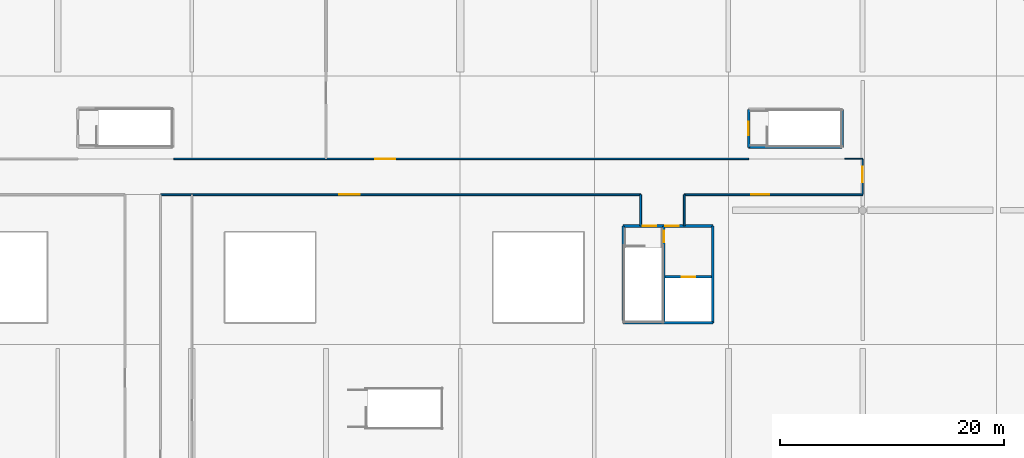
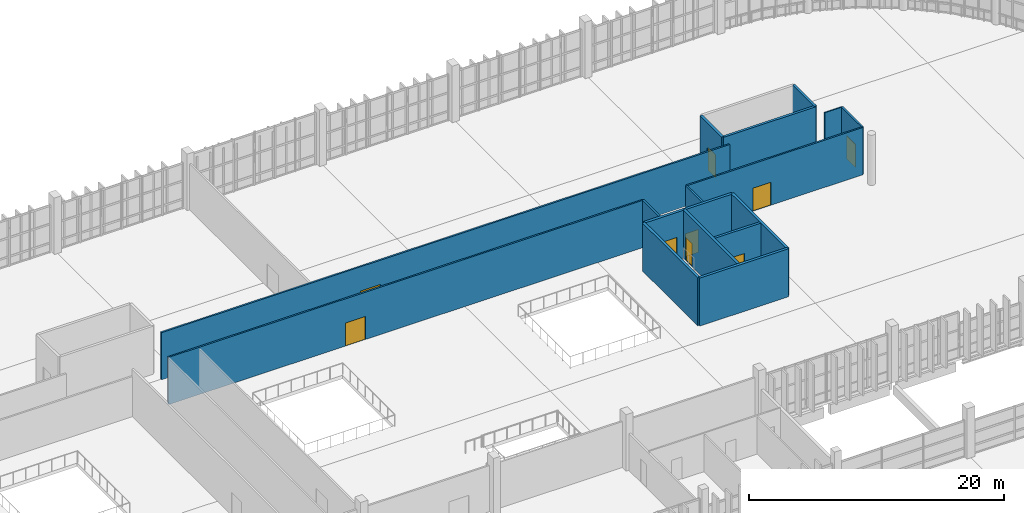
# One storey, part 87 of 112: 16 walls, 9 doors, 9 openings.
"""IFC4 building model written with IfcOpenShell, lengths in metres."""

import ifcopenshell
import ifcopenshell.guid

model = None  # the IFC model being written
_history = None  # IfcOwnerHistory: only IFC2X3 demands one
_inside = {}  # id of a spatial element -> (the spatial element, [elements in it])
_under = {}  # id of a project, library or spatial element -> (it, [spatial elements below it])
_declared = {}  # id of a project -> (the project, [libraries it declares])
_typed = {}  # id of a type object -> (the type object, [elements of that type])
_made_of = {}  # id of a material, layer set ... -> (it, [elements and type objects made of it])


def new_model(schema):
    """Start an empty IFC model of exactly this schema.

    Asked for "IFC4X3", IfcOpenShell would pick the latest addendum, in which some entities
    have other attributes; the version numbers below select the first issue.
    IFC2X3 requires an IfcOwnerHistory on every rooted entity: one is made here for all.
    """
    global model, _history
    if schema == "IFC4X3":
        model = ifcopenshell.file(schema_version=(4, 3, 0, 0))
    else:
        model = ifcopenshell.file(schema=schema)
    _inside.clear()
    _under.clear()
    _declared.clear()
    _typed.clear()
    _made_of.clear()
    _history = None
    if model.schema == "IFC2X3":
        org = make("IfcOrganization", Name="unknown")
        user = make(
            "IfcPersonAndOrganization",
            ThePerson=make("IfcPerson", FamilyName="unknown"),
            TheOrganization=org,
        )
        app = make(
            "IfcApplication",
            ApplicationDeveloper=org,
            Version="unknown",
            ApplicationFullName="unknown",
            ApplicationIdentifier="unknown",
        )
        _history = make(
            "IfcOwnerHistory",
            OwningUser=user,
            OwningApplication=app,
            ChangeAction="ADDED",
            CreationDate=0,
        )
    return model


def make(cls, **values):
    """One entity of the class cls with the attributes given. An attribute that is None is left unset."""
    return model.create_entity(
        cls, **{name: value for name, value in values.items() if value is not None}
    )


def rooted(cls, **values):
    """An entity with a GlobalId (a new one), such as an element, a storey or a relation."""
    return make(cls, GlobalId=ifcopenshell.guid.new(), OwnerHistory=_history, **values)


def si_unit(unit_type, name, prefix=None):
    """IfcSIUnit, for example si_unit("LENGTHUNIT", "METRE", prefix="MILLI")."""
    return make("IfcSIUnit", UnitType=unit_type, Prefix=prefix, Name=name)


def assignment(units):
    """IfcUnitAssignment: the units of a project."""
    return None if units is None else make("IfcUnitAssignment", Units=units)


def point(xyz):
    """IfcCartesianPoint."""
    return None if xyz is None else make("IfcCartesianPoint", Coordinates=xyz)


def direction(xyz):
    """IfcDirection."""
    return None if xyz is None else make("IfcDirection", DirectionRatios=xyz)


def frame(location, z_axis=None, x_axis=None):
    """IfcAxis2Placement3D, a coordinate frame: its origin and axes. An axis left out is left unset."""
    return make(
        "IfcAxis2Placement3D",
        Location=point(location),
        Axis=direction(z_axis),
        RefDirection=direction(x_axis),
    )


def frame_2d(location, x_axis=None):
    """IfcAxis2Placement2D, a coordinate frame in the plane: its origin and x axis."""
    return make(
        "IfcAxis2Placement2D", Location=point(location), RefDirection=direction(x_axis)
    )


def origin():
    """The frame at (0, 0, 0) with its axes left unset."""
    return frame((0.0, 0.0, 0.0))


def place(relative_to, where):
    """IfcLocalPlacement: puts the frame where relative to a parent placement (None: the world)."""
    return make(
        "IfcLocalPlacement", PlacementRelTo=relative_to, RelativePlacement=where
    )


def context(
    kind, dimensions, precision=None, world=None, true_north=None, identifier=None
):
    """IfcGeometricRepresentationContext, for example the 3D "Model" context."""
    return make(
        "IfcGeometricRepresentationContext",
        ContextIdentifier=identifier,
        ContextType=kind,
        CoordinateSpaceDimension=dimensions,
        Precision=precision,
        WorldCoordinateSystem=world,
        TrueNorth=true_north,
    )


def subcontext(parent, identifier, kind, view, scale=None):
    """IfcGeometricRepresentationSubContext, for example "Body" below "Model"."""
    return make(
        "IfcGeometricRepresentationSubContext",
        ContextIdentifier=identifier,
        ContextType=kind,
        ParentContext=parent,
        TargetScale=scale,
        TargetView=view,
    )


def project(units=None, contexts=None):
    """IfcProject with its units and contexts."""
    return rooted(
        "IfcProject",
        Name="project",
        RepresentationContexts=contexts,
        UnitsInContext=assignment(units),
    )


def spatial(cls, under=None, at=None, **own):
    """A site, building, storey or space (cls), placed at a placement, below another one or the project."""
    s = rooted(cls, ObjectPlacement=at, **own)
    if under is not None:
        _under.setdefault(under.id(), (under, []))[1].append(s)
    return s


def profile(cls, at=None, kind="AREA", **sizes):
    """A parametric profile (cls). Its sizes go by their IFC names, for example OverallWidth=200.0."""
    return make(cls, ProfileType=kind, Position=at, **sizes)


def rectangle(**sizes):
    """IfcRectangleProfileDef."""
    return profile("IfcRectangleProfileDef", **sizes)


def extrude(swept, where, along, depth):
    """IfcExtrudedAreaSolid: the profile swept, set in the frame where, extruded along a direction by depth."""
    return make(
        "IfcExtrudedAreaSolid",
        SweptArea=swept,
        Position=where,
        ExtrudedDirection=direction(along),
        Depth=depth,
    )


def shape(context_of_items, identifier, shape_type, items):
    """IfcShapeRepresentation: the items that make up one representation, for example the "Body"."""
    return make(
        "IfcShapeRepresentation",
        ContextOfItems=context_of_items,
        RepresentationIdentifier=identifier,
        RepresentationType=shape_type,
        Items=items,
    )


def material(Name=None, Category=None):
    """IfcMaterial."""
    return make("IfcMaterial", Name=Name, Category=Category)


def layer(
    of_material, thickness, ventilated=None, Name=None, Category=None, Priority=None
):
    """IfcMaterialLayer: one layer of a wall or slab, of a material (None: an air gap)."""
    return make(
        "IfcMaterialLayer",
        Material=of_material,
        LayerThickness=thickness,
        IsVentilated=ventilated,
        Name=Name,
        Category=Category,
        Priority=Priority,
    )


def layer_set(layers, Name=None):
    """IfcMaterialLayerSet."""
    return make("IfcMaterialLayerSet", MaterialLayers=layers, LayerSetName=Name)


def made_of(thing, what):
    """Note that an element or type object is made of a material, layer set ...; save() writes the relation."""
    if what is not None:
        _made_of.setdefault(what.id(), (what, []))[1].append(thing)
    return thing


def type_object(cls, material=None, **own):
    """A type object (cls), such as IfcWallType, which elements share."""
    return made_of(rooted(cls, **own), material)


def element(
    cls,
    number,
    at=None,
    inside=None,
    cuts=None,
    type_object=None,
    material=None,
    context=None,
    identifier="Body",
    shape_type=None,
    held_by="IfcProductDefinitionShape",
    body=None,
    shapes=None,
    **own,
):
    """One element of the class cls, such as IfcWall. Its Tag is "e" and its number.

    at: its placement. inside: the storey or other place that contains it. cuts: it is an
    opening in that element (IfcRelVoidsElement). A single representation is given by context,
    identifier, shape_type and body (its items); several are given by shapes. held_by: the class
    of the entity that holds the representations. save() writes the other relations.
    """
    e = rooted(cls, Tag="e%d" % number, ObjectPlacement=at, **own)
    if body is not None:
        shapes = [shape(context, identifier, shape_type, body)]
    if shapes is not None:
        e.Representation = make(held_by, Representations=shapes)
    if inside is not None:
        _inside.setdefault(inside.id(), (inside, []))[1].append(e)
    if cuts is not None:
        rooted(
            "IfcRelVoidsElement", RelatingBuildingElement=cuts, RelatedOpeningElement=e
        )
    if type_object is not None:
        _typed.setdefault(type_object.id(), (type_object, []))[1].append(e)
    return made_of(e, material)


def fill(opening, filler):
    """IfcRelFillsElement: the door or window that sits in an opening."""
    return rooted(
        "IfcRelFillsElement",
        RelatingOpeningElement=opening,
        RelatedBuildingElement=filler,
    )


def aggregate(whole, parts):
    """IfcRelAggregates: a whole, such as a stair, and the parts it consists of."""
    return rooted("IfcRelAggregates", RelatingObject=whole, RelatedObjects=parts)


def save(model, path):
    """Write the relations noted so far, then the file.

    IfcRelAggregates (storeys below a building ...), IfcRelContainedInSpatialStructure (elements
    in a storey), IfcRelDefinesByType, IfcRelAssociatesMaterial and IfcRelDeclares: one each for
    every whole, place, type object, material and project.
    """
    for whole, parts in _under.values():
        aggregate(whole, parts)
    for where, things in _inside.values():
        rooted(
            "IfcRelContainedInSpatialStructure",
            RelatedElements=things,
            RelatingStructure=where,
        )
    for kind, things in _typed.values():
        rooted("IfcRelDefinesByType", RelatedObjects=things, RelatingType=kind)
    for what, things in _made_of.values():
        rooted("IfcRelAssociatesMaterial", RelatedObjects=things, RelatingMaterial=what)
    for by, libraries in _declared.values():
        rooted("IfcRelDeclares", RelatingContext=by, RelatedDefinitions=libraries)
    model.write(path)


model = new_model("IFC4")

# Units and contexts
model_context = context("Model", 3, precision=1e-05, world=origin(), true_north=direction((0.0, 1.0)))
body_context = subcontext(model_context, "Body", "Model", "MODEL_VIEW")
ifc_project = project(units=[si_unit("LENGTHUNIT", "METRE"), si_unit("AREAUNIT", "SQUARE_METRE"), si_unit("VOLUMEUNIT", "CUBIC_METRE"), si_unit("PLANEANGLEUNIT", "RADIAN"), si_unit("MASSUNIT", "GRAM", prefix="KILO")], contexts=[model_context])

# Site, building, storey
site_placement = place(None, origin())
site = spatial("IfcSite", under=ifc_project, at=site_placement, CompositionType="ELEMENT")
building_placement = place(site_placement, origin())
building = spatial("IfcBuilding", under=site, at=building_placement, Name="Kamomehara Wholesale Market", CompositionType="ELEMENT")
storey_placement = place(building_placement, frame((0.0, 0.0, 6.60009765625)))
storey = spatial("IfcBuildingStorey", under=building, at=storey_placement, Name="L01", CompositionType="ELEMENT", Elevation=6.60009765625)

# Wall
ifc_material_1 = material(Name="Gypsum board partition")
ifc_layer_1 = layer(ifc_material_1, 0.10009765625)
ifc_layer_set_1 = layer_set([ifc_layer_1], Name="Gypsum board partition")
wall_type_1 = type_object("IfcWallType", Name="IW-PRT-100", PredefinedType="PARTITIONING", material=ifc_layer_set_1)
wall_1_placement = place(storey_placement, frame((178.39990234375, 136.60009765625, 0.0), z_axis=(0.0, 0.0, 1.0), x_axis=(1.0, 0.0, 0.0)))
element("IfcWall", 1, at=wall_1_placement, inside=storey, type_object=wall_type_1, Name="Interior wall IW-PRT-100 288", PredefinedType="PARTITIONING", context=body_context, shape_type="SweptSolid", body=[
    extrude(rectangle(XDim=1.60009765625, YDim=0.10009765625, at=frame_2d((0.800048828125, 0.0))), origin(), (0.0, 0.0, 1.0), 4.52001953125),
])

# Wall, opening, door
ifc_material_2 = material(Name="Gypsum board partition")
ifc_layer_2 = layer(ifc_material_2, 0.14990234375)
ifc_layer_set_2 = layer_set([ifc_layer_2], Name="Gypsum board partition")
wall_type_2 = type_object("IfcWallType", Name="IW-PRT-150", PredefinedType="PARTITIONING", material=ifc_layer_set_2)
wall_2_placement = place(storey_placement, frame((117.199951171875, 133.39990234375, 0.0), z_axis=(0.0, 0.0, 1.0), x_axis=(1.0, 0.0, 0.0)))
wall_2 = element("IfcWall", 2, at=wall_2_placement, inside=storey, type_object=wall_type_2, Name="Interior wall IW-PRT-150 282", PredefinedType="PARTITIONING", context=body_context, shape_type="SweptSolid", body=[
    extrude(rectangle(XDim=42.949951171875, YDim=0.14990234375, at=frame_2d((21.47509765625, 0.0))), origin(), (0.0, 0.0, 1.0), 4.52001953125),
])
opening_1_placement = place(wall_2_placement, frame((16.0, 0.0, 0.0)))
opening_1 = element("IfcOpeningElement", 3, at=opening_1_placement, cuts=wall_2, Name="Opening ID-L01-172", PredefinedType="OPENING", context=body_context, shape_type="SweptSolid", body=[
    extrude(rectangle(XDim=1.800048828125, YDim=2.199951171875, at=frame_2d((0.89990234375, 1.10009765625))), frame((0.0, 0.08984375, 0.0), z_axis=(0.0, -1.0, 0.0), x_axis=(1.0, 0.0, 0.0)), (0.0, 0.0, 1.0), 0.1796875),
])
ifc_material_3 = material(Name="Steel SN400B", Category="steel")
door_type_1 = type_object("IfcDoorType", Name="IDR-FD-1800x2200", OperationType="NOTDEFINED", PredefinedType="DOOR", material=ifc_material_3)
door_1_placement = place(opening_1_placement, origin())
door_1 = element("IfcDoor", 4, at=door_1_placement, inside=storey, type_object=door_type_1, Name="Interior door ID-L01-172", OperationType="SINGLE_SWING_RIGHT", OverallHeight=2.199951171875, OverallWidth=1.800048828125, PredefinedType="DOOR", context=body_context, shape_type="SweptSolid", body=[
    extrude(rectangle(XDim=1.800048828125, YDim=2.199951171875, at=frame_2d((0.89990234375, 1.10009765625))), frame((0.0, 0.02490234375, 0.0), z_axis=(0.0, -1.0, 0.0), x_axis=(1.0, 0.0, 0.0)), (0.0, 0.0, 1.0), 0.050048828125),
])
fill(opening_1, door_1)

# Wall
wall_3_placement = place(storey_placement, frame((164.050048828125, 130.60009765625, 0.0), z_axis=(0.0, 0.0, 1.0), x_axis=(0.0, 1.0, 0.0)))
element("IfcWall", 5, at=wall_3_placement, inside=storey, type_object=wall_type_2, Name="Interior wall IW-PRT-150 284", PredefinedType="PARTITIONING", context=body_context, shape_type="SweptSolid", body=[
    extrude(rectangle(XDim=2.7998046875, YDim=0.14990234375, at=frame_2d((1.39990234375, 0.0))), origin(), (0.0, 0.0, 1.0), 4.52001953125),
])

# Wall, opening, door
wall_4_placement = place(storey_placement, frame((164.050048828125, 133.39990234375, 0.0), z_axis=(0.0, 0.0, 1.0), x_axis=(1.0, 0.0, 0.0)))
wall_4 = element("IfcWall", 6, at=wall_4_placement, inside=storey, type_object=wall_type_2, Name="Interior wall IW-PRT-150 285", PredefinedType="PARTITIONING", context=body_context, shape_type="SweptSolid", body=[
    extrude(rectangle(XDim=15.949951171875, YDim=0.14990234375, at=frame_2d((7.97509765625, 0.0))), origin(), (0.0, 0.0, 1.0), 4.52001953125),
])
opening_2_placement = place(wall_4_placement, frame((6.0, 0.0, 0.0)))
opening_2 = element("IfcOpeningElement", 7, at=opening_2_placement, cuts=wall_4, Name="Opening ID-L01-173", PredefinedType="OPENING", context=body_context, shape_type="SweptSolid", body=[
    extrude(rectangle(XDim=1.60009765625, YDim=2.199951171875, at=frame_2d((0.800048828125, 1.10009765625))), frame((0.0, 0.08984375, 0.0), z_axis=(0.0, -1.0, 0.0), x_axis=(1.0, 0.0, 0.0)), (0.0, 0.0, 1.0), 0.1796875),
])
ifc_material_4 = material(Name="Steel SN400B", Category="steel")
door_type_2 = type_object("IfcDoorType", Name="IDR-FD-1600x2200", OperationType="NOTDEFINED", PredefinedType="DOOR", material=ifc_material_4)
door_2_placement = place(opening_2_placement, origin())
door_2 = element("IfcDoor", 8, at=door_2_placement, inside=storey, type_object=door_type_2, Name="Interior door ID-L01-173", OperationType="SINGLE_SWING_LEFT", OverallHeight=2.199951171875, OverallWidth=1.60009765625, PredefinedType="DOOR", context=body_context, shape_type="SweptSolid", body=[
    extrude(rectangle(XDim=1.60009765625, YDim=2.199951171875, at=frame_2d((0.800048828125, 1.10009765625))), frame((0.0, 0.02490234375, 0.0), z_axis=(0.0, -1.0, 0.0), x_axis=(1.0, 0.0, 0.0)), (0.0, 0.0, 1.0), 0.050048828125),
])
fill(opening_2, door_2)

wall_5_placement = place(storey_placement, frame((118.39990234375, 136.60009765625, 0.0), z_axis=(0.0, 0.0, 1.0), x_axis=(1.0, 0.0, 0.0)))
wall_5 = element("IfcWall", 9, at=wall_5_placement, inside=storey, type_object=wall_type_2, Name="Interior wall IW-PRT-150 287", PredefinedType="PARTITIONING", context=body_context, shape_type="SweptSolid", body=[
    extrude(rectangle(XDim=51.400146484375, YDim=0.14990234375, at=frame_2d((25.7001953125, 0.0))), origin(), (0.0, 0.0, 1.0), 4.52001953125),
])
opening_3_placement = place(wall_5_placement, frame((18.0, 0.0, 0.0)))
opening_3 = element("IfcOpeningElement", 10, at=opening_3_placement, cuts=wall_5, Name="Opening ID-L01-176", PredefinedType="OPENING", context=body_context, shape_type="SweptSolid", body=[
    extrude(rectangle(XDim=1.800048828125, YDim=2.199951171875, at=frame_2d((0.89990234375, 1.10009765625))), frame((0.0, 0.08984375, 0.0), z_axis=(0.0, -1.0, 0.0), x_axis=(1.0, 0.0, 0.0)), (0.0, 0.0, 1.0), 0.1796875),
])
door_3_placement = place(opening_3_placement, origin())
door_3 = element("IfcDoor", 11, at=door_3_placement, inside=storey, type_object=door_type_1, Name="Interior door ID-L01-176", OperationType="SINGLE_SWING_RIGHT", OverallHeight=2.199951171875, OverallWidth=1.800048828125, PredefinedType="DOOR", context=body_context, shape_type="SweptSolid", body=[
    extrude(rectangle(XDim=1.800048828125, YDim=2.199951171875, at=frame_2d((0.89990234375, 1.10009765625))), frame((0.0, 0.02490234375, 0.0), z_axis=(0.0, -1.0, 0.0), x_axis=(1.0, 0.0, 0.0)), (0.0, 0.0, 1.0), 0.050048828125),
])
fill(opening_3, door_3)

wall_6_placement = place(storey_placement, frame((180.0, 133.39990234375, 0.0), z_axis=(0.0, 0.0, 1.0), x_axis=(0.0, 1.0, 0.0)))
wall_6 = element("IfcWall", 12, at=wall_6_placement, inside=storey, type_object=wall_type_2, Name="Interior wall IW-PRT-150 289", PredefinedType="PARTITIONING", context=body_context, shape_type="SweptSolid", body=[
    extrude(rectangle(XDim=3.2001953125, YDim=0.14990234375, at=frame_2d((1.60009765625, 0.0))), origin(), (0.0, 0.0, 1.0), 4.52001953125),
])
opening_4_placement = place(wall_6_placement, frame((1.10009765625, 0.0, 0.0)))
opening_4 = element("IfcOpeningElement", 13, at=opening_4_placement, cuts=wall_6, Name="Opening ID-L01-177", PredefinedType="OPENING", context=body_context, shape_type="SweptSolid", body=[
    extrude(rectangle(XDim=1.39990234375, YDim=2.199951171875, at=frame_2d((0.699951171875, 1.10009765625))), frame((0.0, 0.08984375, 0.0), z_axis=(0.0, -1.0, 0.0), x_axis=(1.0, 0.0, 0.0)), (0.0, 0.0, 1.0), 0.1796875),
])
ifc_material_5 = material(Name="Steel SN400B", Category="steel")
door_type_3 = type_object("IfcDoorType", Name="IDR-FD-1400x2200", OperationType="NOTDEFINED", PredefinedType="DOOR", material=ifc_material_5)
door_4_placement = place(opening_4_placement, origin())
door_4 = element("IfcDoor", 14, at=door_4_placement, inside=storey, type_object=door_type_3, Name="Interior door ID-L01-177", OperationType="SINGLE_SWING_LEFT", OverallHeight=2.199951171875, OverallWidth=1.39990234375, PredefinedType="DOOR", context=body_context, shape_type="SweptSolid", body=[
    extrude(rectangle(XDim=1.39990234375, YDim=2.199951171875, at=frame_2d((0.699951171875, 1.10009765625))), frame((0.0, 0.02490234375, 0.0), z_axis=(0.0, -1.0, 0.0), x_axis=(1.0, 0.0, 0.0)), (0.0, 0.0, 1.0), 0.050048828125),
])
fill(opening_4, door_4)

# Wall
ifc_material_6 = material(Name="Gypsum board partition")
ifc_layer_3 = layer(ifc_material_6, 0.175048828125)
ifc_layer_set_3 = layer_set([ifc_layer_3], Name="Gypsum board partition")
wall_type_3 = type_object("IfcWallType", Name="IW-PRT-175", PredefinedType="PARTITIONING", material=ifc_layer_set_3)
wall_7_placement = place(storey_placement, frame((160.14990234375, 130.60009765625, 0.0), z_axis=(0.0, 0.0, 1.0), x_axis=(0.0, 1.0, 0.0)))
element("IfcWall", 15, at=wall_7_placement, inside=storey, type_object=wall_type_3, Name="Interior wall IW-PRT-175 283", PredefinedType="PARTITIONING", context=body_context, shape_type="SweptSolid", body=[
    extrude(rectangle(XDim=2.7998046875, YDim=0.175048828125, at=frame_2d((1.39990234375, 0.0))), origin(), (0.0, 0.0, 1.0), 4.52001953125),
])

# Wall, opening, door
ifc_material_7 = material(Name="Concrete Fc36 (C35/45)", Category="concrete")
ifc_layer_4 = layer(ifc_material_7, 0.219970703125)
ifc_layer_set_4 = layer_set([ifc_layer_4], Name="Concrete Fc36 (C35/45)")
wall_type_4 = type_object("IfcWallType", Name="IW-SHR-220", PredefinedType="SHEAR", material=ifc_layer_set_4)
wall_8_placement = place(storey_placement, frame((162.340087890625, 126.0400390625, 0.0), z_axis=(0.0, 0.0, 1.0), x_axis=(1.0, 0.0, 0.0)))
wall_8 = element("IfcWall", 16, at=wall_8_placement, inside=storey, type_object=wall_type_4, Name="Interior wall IW-SHR-220 24", PredefinedType="SHEAR", context=body_context, shape_type="SweptSolid", body=[
    extrude(rectangle(XDim=4.139892578125, YDim=0.219970703125, at=frame_2d((2.06982421875, 0.0))), origin(), (0.0, 0.0, 1.0), 4.58984375),
])
opening_5_placement = place(wall_8_placement, frame((1.469970703125, 0.0, 0.0)))
opening_5 = element("IfcOpeningElement", 17, at=opening_5_placement, cuts=wall_8, Name="Opening LD-LP-01-L01", PredefinedType="OPENING", context=body_context, shape_type="SweptSolid", body=[
    extrude(rectangle(XDim=1.199951171875, YDim=2.199951171875, at=frame_2d((0.60009765625, 1.10009765625))), frame((0.0, 0.125, 0.0), z_axis=(0.0, -1.0, 0.0), x_axis=(1.0, 0.0, 0.0)), (0.0, 0.0, 1.0), 0.249755859375),
])
ifc_material_8 = material(Name="Steel SN400B", Category="steel")
door_type_4 = type_object("IfcDoorType", Name="LDR-PAX-1200x2200", OperationType="DOUBLE_DOOR_SLIDING", PredefinedType="DOOR", material=ifc_material_8)
door_5_placement = place(opening_5_placement, origin())
door_5 = element("IfcDoor", 18, at=door_5_placement, inside=storey, type_object=door_type_4, Name="Lift sliding landing door LD-LP-01-L01", OperationType="DOUBLE_DOOR_SLIDING", OverallHeight=2.199951171875, OverallWidth=1.199951171875, PredefinedType="DOOR", context=body_context, shape_type="SweptSolid", body=[
    extrude(rectangle(XDim=1.199951171875, YDim=2.199951171875, at=frame_2d((0.60009765625, 1.10009765625))), frame((0.0, 0.02490234375, 0.0), z_axis=(0.0, -1.0, 0.0), x_axis=(1.0, 0.0, 0.0)), (0.0, 0.0, 1.0), 0.050048828125),
])
fill(opening_5, door_5)

wall_9_placement = place(storey_placement, frame((169.800048828125, 141.030029296875, 0.0), z_axis=(0.0, 0.0, 1.0), x_axis=(0.0, -1.0, 0.0)))
wall_9 = element("IfcWall", 19, at=wall_9_placement, inside=storey, type_object=wall_type_4, Name="Interior wall IW-SHR-220 175", PredefinedType="SHEAR", context=body_context, shape_type="SweptSolid", body=[
    extrude(rectangle(XDim=3.39013671875, YDim=0.219970703125, at=frame_2d((1.695068359375, 0.0))), origin(), (0.0, 0.0, 1.0), 4.58984375),
])
opening_6_placement = place(wall_9_placement, frame((1.10009765625, 0.0, 0.0)))
opening_6 = element("IfcOpeningElement", 20, at=opening_6_placement, cuts=wall_9, Name="Opening FD-ST-14-L01", PredefinedType="OPENING", context=body_context, shape_type="SweptSolid", body=[
    extrude(rectangle(XDim=1.199951171875, YDim=2.199951171875, at=frame_2d((0.60009765625, 1.10009765625))), frame((0.0, 0.125, 0.0), z_axis=(0.0, -1.0, 0.0), x_axis=(1.0, 0.0, 0.0)), (0.0, 0.0, 1.0), 0.249755859375),
])
ifc_material_9 = material(Name="Steel SN400B", Category="steel")
door_type_5 = type_object("IfcDoorType", Name="IDR-FD-1200x2200", OperationType="NOTDEFINED", PredefinedType="DOOR", material=ifc_material_9)
door_6_placement = place(opening_6_placement, origin())
door_6 = element("IfcDoor", 21, at=door_6_placement, inside=storey, type_object=door_type_5, Name="Stair fire door FD-ST-14-L01", OperationType="SINGLE_SWING_RIGHT", OverallHeight=2.199951171875, OverallWidth=1.199951171875, PredefinedType="DOOR", context=body_context, shape_type="SweptSolid", body=[
    extrude(rectangle(XDim=1.199951171875, YDim=2.199951171875, at=frame_2d((0.60009765625, 1.10009765625))), frame((0.0, 0.02490234375, 0.0), z_axis=(0.0, -1.0, 0.0), x_axis=(1.0, 0.0, 0.0)), (0.0, 0.0, 1.0), 0.050048828125),
])
fill(opening_6, door_6)

# Walls
wall_10_placement = place(storey_placement, frame((169.800048828125, 137.639892578125, 0.0), z_axis=(0.0, 0.0, 1.0), x_axis=(1.0, 0.0, 0.0)))
element("IfcWall", 22, at=wall_10_placement, inside=storey, type_object=wall_type_4, Name="Interior wall IW-SHR-220 176", PredefinedType="SHEAR", context=body_context, shape_type="SweptSolid", body=[
    extrude(rectangle(XDim=8.3798828125, YDim=0.219970703125, at=frame_2d((4.18994140625, 0.0))), origin(), (0.0, 0.0, 1.0), 4.58984375),
])
wall_11_placement = place(storey_placement, frame((178.179931640625, 137.639892578125, 0.0), z_axis=(0.0, 0.0, 1.0), x_axis=(0.0, 1.0, 0.0)))
element("IfcWall", 23, at=wall_11_placement, inside=storey, type_object=wall_type_4, Name="Interior wall IW-SHR-220 177", PredefinedType="SHEAR", context=body_context, shape_type="SweptSolid", body=[
    extrude(rectangle(XDim=3.39013671875, YDim=0.219970703125, at=frame_2d((1.695068359375, 0.0))), origin(), (0.0, 0.0, 1.0), 4.58984375),
])
ifc_material_10 = material(Name="Concrete Fc36 (C35/45)", Category="concrete")
ifc_layer_5 = layer(ifc_material_10, 0.239990234375)
ifc_layer_set_5 = layer_set([ifc_layer_5], Name="Concrete Fc36 (C35/45)")
wall_type_5 = type_object("IfcWallType", Name="IW-SHR-240", PredefinedType="SHEAR", material=ifc_layer_set_5)
wall_12_placement = place(storey_placement, frame((158.580078125, 130.60009765625, 0.0), z_axis=(0.0, 0.0, 1.0), x_axis=(0.0, -1.0, 0.0)))
element("IfcWall", 24, at=wall_12_placement, inside=storey, type_object=wall_type_5, Name="Interior wall IW-SHR-240 19", PredefinedType="SHEAR", context=body_context, shape_type="SweptSolid", body=[
    extrude(rectangle(XDim=8.670166015625, YDim=0.239990234375, at=frame_2d((4.3349609375, 0.0))), origin(), (0.0, 0.0, 1.0), 4.58984375),
])
wall_13_placement = place(storey_placement, frame((158.580078125, 121.929931640625, 0.0), z_axis=(0.0, 0.0, 1.0), x_axis=(1.0, 0.0, 0.0)))
element("IfcWall", 25, at=wall_13_placement, inside=storey, type_object=wall_type_5, Name="Interior wall IW-SHR-240 20", PredefinedType="SHEAR", context=body_context, shape_type="SweptSolid", body=[
    extrude(rectangle(XDim=8.02001953125, YDim=0.239990234375, at=frame_2d((4.010009765625, 0.0))), origin(), (0.0, 0.0, 1.0), 4.58984375),
])

# Wall, opening, door
wall_14_placement = place(storey_placement, frame((162.219970703125, 121.929931640625, 0.0), z_axis=(0.0, 0.0, 1.0), x_axis=(0.0, 1.0, 0.0)))
wall_14 = element("IfcWall", 26, at=wall_14_placement, inside=storey, type_object=wall_type_5, Name="Interior wall IW-SHR-240 21", PredefinedType="SHEAR", context=body_context, shape_type="SweptSolid", body=[
    extrude(rectangle(XDim=8.670166015625, YDim=0.239990234375, at=frame_2d((4.3349609375, 0.0))), origin(), (0.0, 0.0, 1.0), 4.58984375),
])
opening_7_placement = place(wall_14_placement, frame((7.219970703125, 0.0, 0.0)))
opening_7 = element("IfcOpeningElement", 27, at=opening_7_placement, cuts=wall_14, Name="Opening FD-L01-C2I", PredefinedType="OPENING", context=body_context, shape_type="SweptSolid", body=[
    extrude(rectangle(XDim=1.0, YDim=2.199951171875, at=frame_2d((0.5, 1.10009765625))), frame((0.0, 0.134765625, 0.0), z_axis=(0.0, -1.0, 0.0), x_axis=(1.0, 0.0, 0.0)), (0.0, 0.0, 1.0), 0.269775390625),
])
ifc_material_11 = material(Name="Anodised aluminium 6063-T5", Category="aluminium")
door_type_6 = type_object("IfcDoorType", Name="IDR-RM-1000x2200", OperationType="NOTDEFINED", PredefinedType="DOOR", material=ifc_material_11)
door_7_placement = place(opening_7_placement, origin())
door_7 = element("IfcDoor", 28, at=door_7_placement, inside=storey, type_object=door_type_6, Name="Core lobby-stair fire door FD-L01-C2I", OperationType="SINGLE_SWING_RIGHT", OverallHeight=2.199951171875, OverallWidth=1.0, PredefinedType="DOOR", context=body_context, shape_type="SweptSolid", body=[
    extrude(rectangle(XDim=1.0, YDim=2.199951171875, at=frame_2d((0.5, 1.10009765625))), frame((0.0, 0.02490234375, 0.0), z_axis=(0.0, -1.0, 0.0), x_axis=(1.0, 0.0, 0.0)), (0.0, 0.0, 1.0), 0.050048828125),
])
fill(opening_7, door_7)

# Wall
wall_15_placement = place(storey_placement, frame((166.60009765625, 121.929931640625, 0.0), z_axis=(0.0, 0.0, 1.0), x_axis=(0.0, 1.0, 0.0)))
element("IfcWall", 29, at=wall_15_placement, inside=storey, type_object=wall_type_5, Name="Interior wall IW-SHR-240 22", PredefinedType="SHEAR", context=body_context, shape_type="SweptSolid", body=[
    extrude(rectangle(XDim=8.670166015625, YDim=0.239990234375, at=frame_2d((4.3349609375, 0.0))), origin(), (0.0, 0.0, 1.0), 4.58984375),
])

# Wall, openings, doors
wall_16_placement = place(storey_placement, frame((158.580078125, 130.60009765625, 0.0), z_axis=(0.0, 0.0, 1.0), x_axis=(1.0, 0.0, 0.0)))
wall_16 = element("IfcWall", 30, at=wall_16_placement, inside=storey, type_object=wall_type_5, Name="Interior wall IW-SHR-240 23", PredefinedType="SHEAR", context=body_context, shape_type="SweptSolid", body=[
    extrude(rectangle(XDim=8.02001953125, YDim=0.239990234375, at=frame_2d((4.010009765625, 0.0))), origin(), (0.0, 0.0, 1.0), 4.58984375),
])
opening_8_placement = place(wall_16_placement, frame((1.77001953125, 0.0, 0.0)))
opening_8 = element("IfcOpeningElement", 31, at=opening_8_placement, cuts=wall_16, Name="Opening FD-L01-C2S", PredefinedType="OPENING", context=body_context, shape_type="SweptSolid", body=[
    extrude(rectangle(XDim=1.199951171875, YDim=2.199951171875, at=frame_2d((0.60009765625, 1.10009765625))), frame((0.0, 0.134765625, 0.0), z_axis=(0.0, -1.0, 0.0), x_axis=(1.0, 0.0, 0.0)), (0.0, 0.0, 1.0), 0.269775390625),
])
opening_9_placement = place(wall_16_placement, frame((3.77001953125, 0.0, 0.0)))
opening_9 = element("IfcOpeningElement", 32, at=opening_9_placement, cuts=wall_16, Name="Opening FD-L01-C2L", PredefinedType="OPENING", context=body_context, shape_type="SweptSolid", body=[
    extrude(rectangle(XDim=1.199951171875, YDim=2.199951171875, at=frame_2d((0.60009765625, 1.10009765625))), frame((0.0, 0.134765625, 0.0), z_axis=(0.0, -1.0, 0.0), x_axis=(1.0, 0.0, 0.0)), (0.0, 0.0, 1.0), 0.269775390625),
])
door_8_placement = place(opening_8_placement, origin())
door_8 = element("IfcDoor", 33, at=door_8_placement, inside=storey, type_object=door_type_5, Name="Stair fire door FD-L01-C2S", OperationType="SINGLE_SWING_LEFT", OverallHeight=2.199951171875, OverallWidth=1.199951171875, PredefinedType="DOOR", context=body_context, shape_type="SweptSolid", body=[
    extrude(rectangle(XDim=1.199951171875, YDim=2.199951171875, at=frame_2d((0.60009765625, 1.10009765625))), frame((0.0, 0.02490234375, 0.0), z_axis=(0.0, -1.0, 0.0), x_axis=(1.0, 0.0, 0.0)), (0.0, 0.0, 1.0), 0.050048828125),
])
fill(opening_8, door_8)
door_9_placement = place(opening_9_placement, origin())
door_9 = element("IfcDoor", 34, at=door_9_placement, inside=storey, type_object=door_type_5, Name="Lift lobby fire door FD-L01-C2L", OperationType="SINGLE_SWING_RIGHT", OverallHeight=2.199951171875, OverallWidth=1.199951171875, PredefinedType="DOOR", context=body_context, shape_type="SweptSolid", body=[
    extrude(rectangle(XDim=1.199951171875, YDim=2.199951171875, at=frame_2d((0.60009765625, 1.10009765625))), frame((0.0, 0.02490234375, 0.0), z_axis=(0.0, -1.0, 0.0), x_axis=(1.0, 0.0, 0.0)), (0.0, 0.0, 1.0), 0.050048828125),
])
fill(opening_9, door_9)

save(model, "model.ifc")
